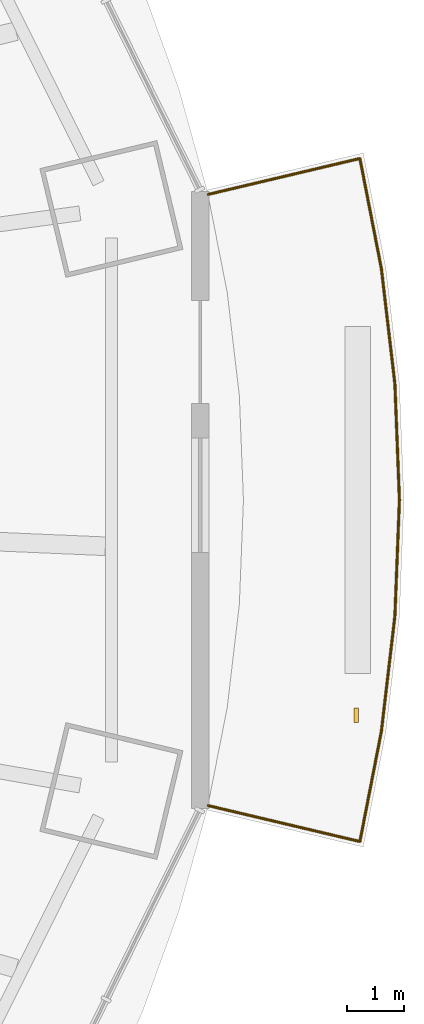
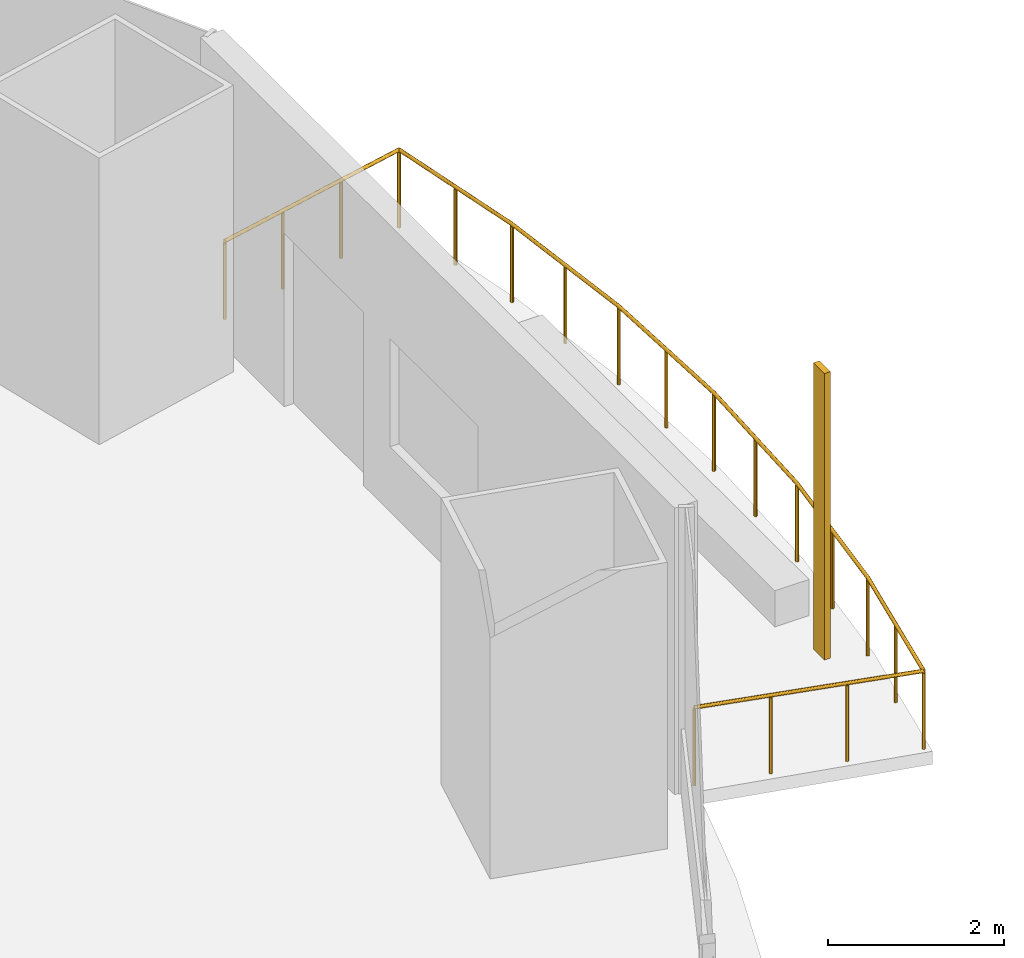
# One storey, part 20 of 21: 1 railing, 1 shading device.
"""IFC4 building model written with IfcOpenShell, lengths in metres."""

from ifc_helpers import new_model, si_unit, direction, frame, origin, origin_2d, place, context, subcontext, project, spatial, rectangle, circle, extrude, material, material_profile, profile_set, type_object, element, save


model = new_model("IFC4")

# Units and contexts
model_context = context("Model", 3, precision=1e-05, world=origin(), true_north=direction((0.0, 1.0)))
body_context = subcontext(model_context, "Body", "Model", "MODEL_VIEW")
ifc_project = project(units=[si_unit("LENGTHUNIT", "METRE"), si_unit("AREAUNIT", "SQUARE_METRE"), si_unit("VOLUMEUNIT", "CUBIC_METRE"), si_unit("PLANEANGLEUNIT", "RADIAN"), si_unit("MASSUNIT", "GRAM", prefix="KILO")], contexts=[model_context])

# Site, building, storey
site_placement = place(None, origin())
site = spatial("IfcSite", under=ifc_project, at=site_placement, CompositionType="ELEMENT")
building_placement = place(site_placement, origin())
building = spatial("IfcBuilding", under=site, at=building_placement, Name="Marenthal Gate Tower", CompositionType="ELEMENT")
storey_placement = place(building_placement, frame((0.0, 0.0, 165.199951171875)))
storey = spatial("IfcBuildingStorey", under=building, at=storey_placement, Name="L35", CompositionType="ELEMENT", Elevation=165.199951171875)

# Railing
ifc_material_1 = material(Name="Stainless steel", Category="steel")
railing_type = type_object("IfcRailingType", Name="Balcony guard 1100", PredefinedType="GUARDRAIL", material=ifc_material_1)
railing_placement = place(storey_placement, frame((34.202880859375, 4.728515625, 0.0)))
element("IfcRailing", 1, at=railing_placement, inside=storey, type_object=railing_type, Name="Balcony guard L35 bay 16", PredefinedType="GUARDRAIL", context=body_context, shape_type="SweptSolid", body=[
    extrude(circle(Radius=0.02392578125, at=origin_2d()), frame((0.0, 0.0, 1.076171875), z_axis=(0.972991835715, 0.230369861859, -0.014717825222), x_axis=(-0.230394816626, 0.97309723485, 0.0)), (0.0, 0.0, 1.0), 2.720458984375),
    extrude(circle(Radius=0.02392578125, at=origin_2d()), frame((2.64697265625, 0.626708984375, 1.0361328125), z_axis=(0.191378192155, -0.981516371523, 0.0), x_axis=(0.981516371523, 0.191378192155, 0.0)), (0.0, 0.0, 1.0), 1.953125),
    extrude(circle(Radius=0.02392578125, at=origin_2d()), frame((3.020751953125, -1.290283203125, 1.0361328125), z_axis=(0.116533907745, -0.993186713738, 0.0), x_axis=(0.993186713738, 0.116533907745, 0.0)), (0.0, 0.0, 1.0), 2.028076171875),
    extrude(circle(Radius=0.02392578125, at=origin_2d()), frame((3.257080078125, -3.304443359375, 1.0361328125), z_axis=(0.039048714007, -0.999237308118, 0.0), x_axis=(0.999237308118, 0.039048714007, 0.0)), (0.0, 0.0, 1.0), 2.025634765625),
    extrude(circle(Radius=0.02392578125, at=origin_2d()), frame((3.336181640625, -5.32861328125, 1.0361328125), z_axis=(-0.039053417163, -0.999237124314, 0.0), x_axis=(0.999237124314, -0.039053417163, 0.0)), (0.0, 0.0, 1.0), 2.025390625),
    extrude(circle(Radius=0.02392578125, at=origin_2d()), frame((3.257080078125, -7.3525390625, 1.0361328125), z_axis=(-0.116533907745, -0.993186713738, 0.0), x_axis=(0.993186713738, -0.116533907745, 0.0)), (0.0, 0.0, 1.0), 2.028076171875),
    extrude(circle(Radius=0.02392578125, at=origin_2d()), frame((3.020751953125, -9.36669921875, 1.0361328125), z_axis=(-0.191378192155, -0.981516371523, 0.0), x_axis=(0.981516371523, -0.191378192155, 0.0)), (0.0, 0.0, 1.0), 1.953125),
    extrude(circle(Radius=0.02392578125, at=origin_2d()), frame((2.64697265625, -11.28369140625, 1.0361328125), z_axis=(-0.972991835715, 0.230369861859, 0.014717825222), x_axis=(-0.230394816626, -0.97309723485, 0.0)), (0.0, 0.0, 1.0), 2.720458984375),
    extrude(circle(Radius=0.02099609375, at=origin_2d()), origin(), (0.0, 0.0, 1.0), 1.052001953125),
    extrude(circle(Radius=0.02099609375, at=origin_2d()), frame((0.88232421875, 0.208984375, -0.013427734375)), (0.0, 0.0, 1.0), 1.052001953125),
    extrude(circle(Radius=0.02099609375, at=origin_2d()), frame((1.7646484375, 0.417724609375, -0.026611328125)), (0.0, 0.0, 1.0), 1.052001953125),
    extrude(circle(Radius=0.02099609375, at=origin_2d()), frame((2.64697265625, 0.626708984375, -0.0400390625)), (0.0, 0.0, 1.0), 1.052001953125),
    extrude(circle(Radius=0.02099609375, at=origin_2d()), frame((2.833984375, -0.331787109375, -0.0400390625)), (0.0, 0.0, 1.0), 1.052001953125),
    extrude(circle(Radius=0.02099609375, at=origin_2d()), frame((3.020751953125, -1.290283203125, -0.0400390625)), (0.0, 0.0, 1.0), 1.052001953125),
    extrude(circle(Radius=0.02099609375, at=origin_2d()), frame((3.138916015625, -2.29736328125, -0.0400390625)), (0.0, 0.0, 1.0), 1.052001953125),
    extrude(circle(Radius=0.02099609375, at=origin_2d()), frame((3.257080078125, -3.304443359375, -0.0400390625)), (0.0, 0.0, 1.0), 1.052001953125),
    extrude(circle(Radius=0.02099609375, at=origin_2d()), frame((3.296630859375, -4.31640625, -0.0400390625)), (0.0, 0.0, 1.0), 1.052001953125),
    extrude(circle(Radius=0.02099609375, at=origin_2d()), frame((3.336181640625, -5.32861328125, -0.0400390625)), (0.0, 0.0, 1.0), 1.052001953125),
    extrude(circle(Radius=0.02099609375, at=origin_2d()), frame((3.296630859375, -6.340576171875, -0.0400390625)), (0.0, 0.0, 1.0), 1.052001953125),
    extrude(circle(Radius=0.02099609375, at=origin_2d()), frame((3.257080078125, -7.3525390625, -0.0400390625)), (0.0, 0.0, 1.0), 1.052001953125),
    extrude(circle(Radius=0.02099609375, at=origin_2d()), frame((3.138916015625, -8.359619140625, -0.0400390625)), (0.0, 0.0, 1.0), 1.052001953125),
    extrude(circle(Radius=0.02099609375, at=origin_2d()), frame((3.020751953125, -9.36669921875, -0.0400390625)), (0.0, 0.0, 1.0), 1.052001953125),
    extrude(circle(Radius=0.02099609375, at=origin_2d()), frame((2.833984375, -10.3251953125, -0.0400390625)), (0.0, 0.0, 1.0), 1.052001953125),
    extrude(circle(Radius=0.02099609375, at=origin_2d()), frame((2.64697265625, -11.28369140625, -0.0400390625)), (0.0, 0.0, 1.0), 1.052001953125),
    extrude(circle(Radius=0.02099609375, at=origin_2d()), frame((1.7646484375, -11.07470703125, -0.026611328125)), (0.0, 0.0, 1.0), 1.052001953125),
    extrude(circle(Radius=0.02099609375, at=origin_2d()), frame((0.88232421875, -10.865966796875, -0.013427734375)), (0.0, 0.0, 1.0), 1.052001953125),
    extrude(circle(Radius=0.02099609375, at=origin_2d()), frame((0.0, -10.656982421875, 0.0)), (0.0, 0.0, 1.0), 1.052001953125),
])

# Shading device
ifc_material_2 = material(Name="Terracotta", Category="masonry")
ifc_material_profile = material_profile(ifc_material_2, rectangle(XDim=0.25, YDim=0.080078125, at=origin_2d()), Name="Terracotta baguette 250x80")
ifc_profile_set = profile_set([ifc_material_profile], Name="Terracotta")
shading_device_type = type_object("IfcShadingDeviceType", Name="Terracotta BAGUETTE SCREEN 250x80", PredefinedType="USERDEFINED", material=ifc_profile_set)
shading_device_placement = place(storey_placement, frame((36.787109375, -4.35205078125, -0.0400390625), z_axis=(0.0, 0.0, 1.0), x_axis=(0.0, 1.0, 0.0)))
element("IfcShadingDevice", 2, at=shading_device_placement, inside=storey, type_object=shading_device_type, Name="Terracotta BAGUETTE L35 bay 16L", ObjectType="BAGUETTE SCREEN", PredefinedType="USERDEFINED", context=body_context, shape_type="SweptSolid", body=[
    extrude(rectangle(XDim=0.25, YDim=0.080078125, at=origin_2d()), origin(), (0.0, 0.0, 1.0), 3.969970703125),
])

save(model, "model.ifc")
